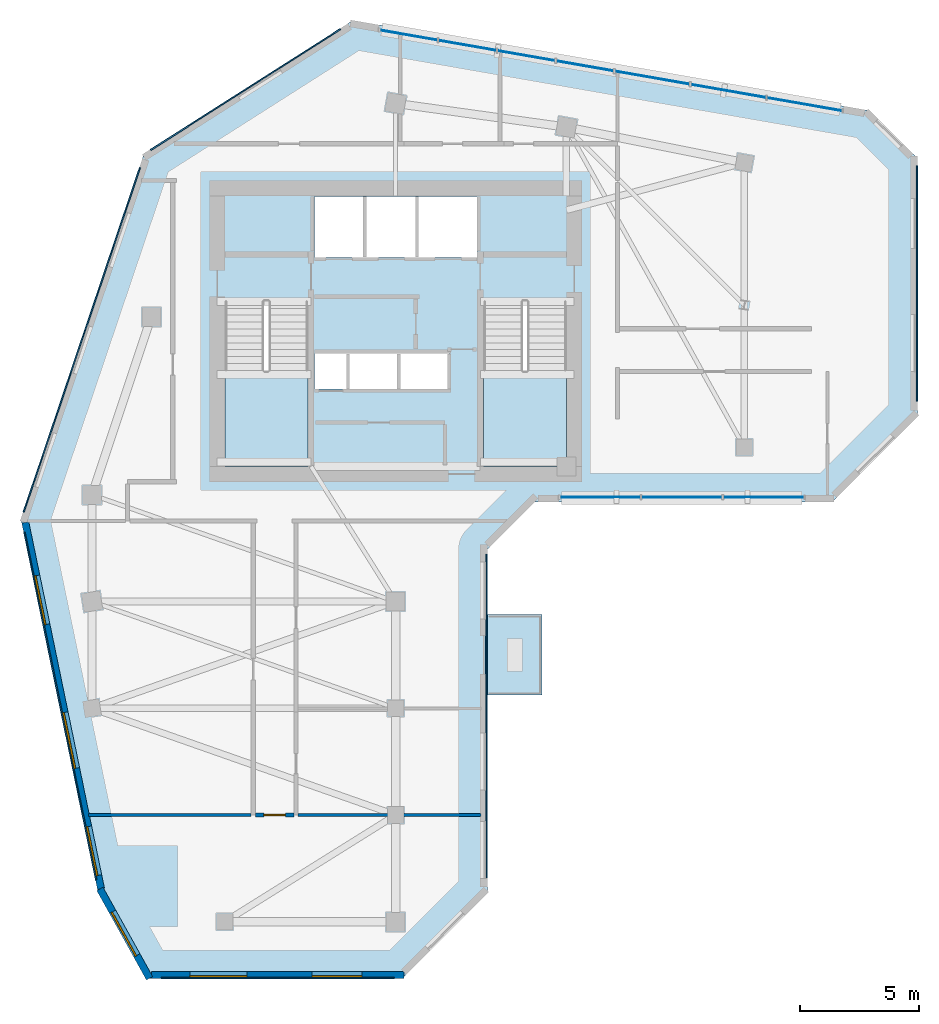
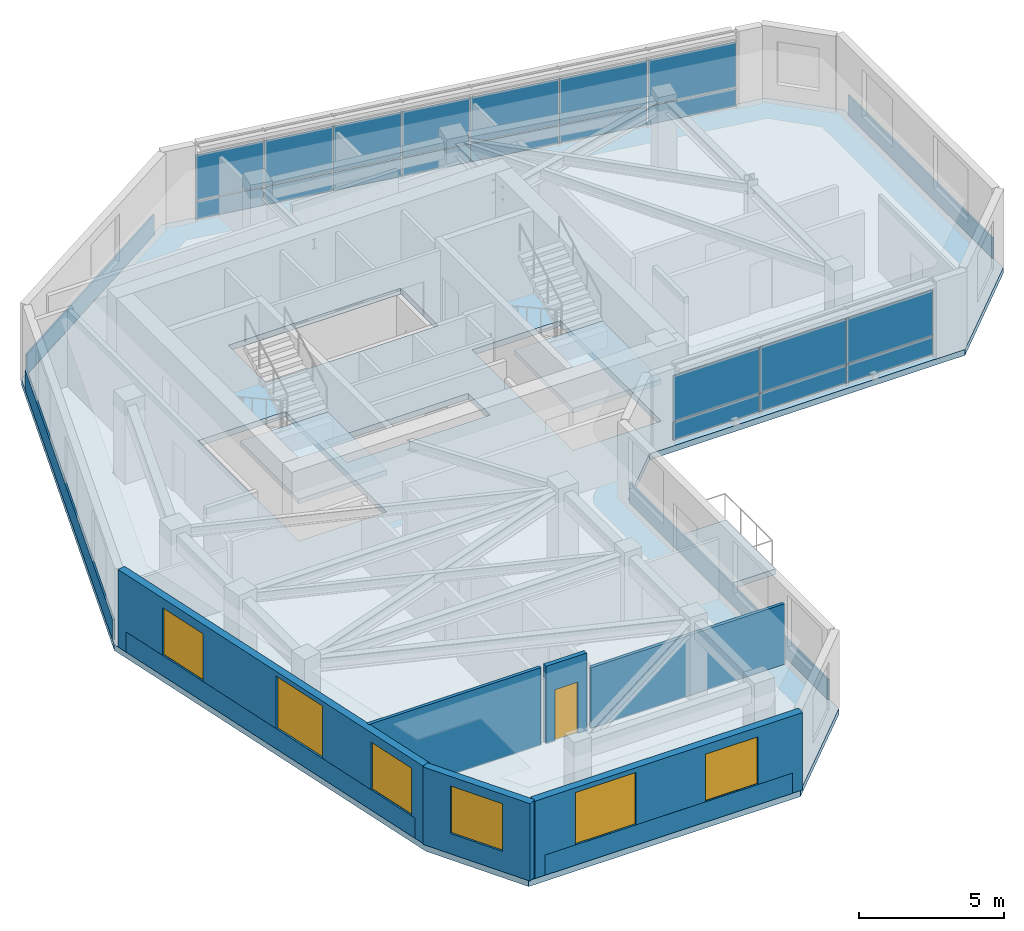
# One storey, part 3 of 9: 26 plates, 6 walls, 6 windows, 4 slabs, 1 door, 7 openings, 4 elements without a shape of their own.
"""IFC4 building model written with IfcOpenShell, lengths in metres."""

from ifc_helpers import new_model, si_unit, direction, frame, frame_2d, origin, place, context, subcontext, project, spatial, polyline, rectangle, outline, extrude, source, transform, mapped, material, layer, layer_set, type_object, element, fill, aggregate, save


model = new_model("IFC4")

# Units and contexts
model_context = context("Model", 3, precision=1e-05, world=origin(), true_north=direction((0.0, 1.0)))
body_context = subcontext(model_context, "Body", "Model", "MODEL_VIEW")
ifc_project = project(units=[si_unit("LENGTHUNIT", "METRE"), si_unit("AREAUNIT", "SQUARE_METRE"), si_unit("VOLUMEUNIT", "CUBIC_METRE"), si_unit("PLANEANGLEUNIT", "RADIAN"), si_unit("MASSUNIT", "GRAM", prefix="KILO")], contexts=[model_context])

# Site, building, storey
site_placement = place(None, origin())
site = spatial("IfcSite", under=ifc_project, at=site_placement, CompositionType="ELEMENT")
building_placement = place(site_placement, origin())
building = spatial("IfcBuilding", under=site, at=building_placement, Name="Calvemar Wedge Station Tower", CompositionType="ELEMENT")
storey_placement = place(building_placement, frame((0.0, 0.0, 235.89990234375)))
storey = spatial("IfcBuildingStorey", under=building, at=storey_placement, Name="L60", CompositionType="ELEMENT", Elevation=235.89990234375)

# Curtain wall, plates
ifc_material_1 = material(Name="Anodised aluminium 6063-T6", Category="aluminium")
curtain_wall_type = type_object("IfcCurtainWallType", Name="CW3", PredefinedType="NOTDEFINED", material=ifc_material_1)
curtain_wall_1_placement = place(storey_placement, origin())
curtain_wall_1 = element("IfcCurtainWall", 1, at=curtain_wall_1_placement, inside=storey, type_object=curtain_wall_type, Name="Storey L60 CW3 Recessed Unitised Curtain Wall 6", PredefinedType="NOTDEFINED")
ifc_material_2 = material(Name="Low-E laminated insulated glass", Category="glass")
ifc_layer_1 = layer(ifc_material_2, 0.028076171875)
ifc_layer_set_1 = layer_set([ifc_layer_1], Name="Low-E laminated insulated glass")
plate_type_1 = type_object("IfcPlateType", Name="CW3-GLZ", PredefinedType="CURTAIN_PANEL", material=ifc_layer_set_1)
plate_1_placement = place(storey_placement, frame((30.719970703125, 32.902099609375, 0.8701171875), z_axis=(0.0, 0.0, 1.0), x_axis=(1.0, 0.0, 0.0)))
plate_1 = element("IfcPlate", 2, at=plate_1_placement, type_object=plate_type_1, Name="CW3 vision glass panel 1", PredefinedType="CURTAIN_PANEL", context=body_context, shape_type="SweptSolid", body=[
    extrude(rectangle(XDim=3.4091796875, YDim=0.028076171875, at=frame_2d((1.70458984375, 0.0))), origin(), (0.0, 0.0, 1.0), 1.909912109375),
])
plate_2_placement = place(storey_placement, frame((34.165283203125, 32.902099609375, 0.8701171875), z_axis=(0.0, 0.0, 1.0), x_axis=(1.0, 0.0, 0.0)))
plate_2 = element("IfcPlate", 3, at=plate_2_placement, type_object=plate_type_1, Name="CW3 vision glass panel 2", PredefinedType="CURTAIN_PANEL", context=body_context, shape_type="SweptSolid", body=[
    extrude(rectangle(XDim=3.409423828125, YDim=0.028076171875, at=frame_2d((1.70458984375, 0.0))), origin(), (0.0, 0.0, 1.0), 1.909912109375),
])
plate_3_placement = place(storey_placement, frame((37.610595703125, 32.902099609375, 0.8701171875), z_axis=(0.0, 0.0, 1.0), x_axis=(1.0, 0.0, 0.0)))
plate_3 = element("IfcPlate", 4, at=plate_3_placement, type_object=plate_type_1, Name="CW3 vision glass panel 3", PredefinedType="CURTAIN_PANEL", context=body_context, shape_type="SweptSolid", body=[
    extrude(rectangle(XDim=3.409423828125, YDim=0.028076171875, at=frame_2d((1.70458984375, 0.0))), origin(), (0.0, 0.0, 1.0), 1.909912109375),
])

curtain_wall_2_placement = place(storey_placement, origin())
curtain_wall_2 = element("IfcCurtainWall", 5, at=curtain_wall_2_placement, inside=storey, type_object=curtain_wall_type, Name="Storey L60 CW3 Recessed Unitised Curtain Wall 10", PredefinedType="NOTDEFINED")
plate_4_placement = place(storey_placement, frame((42.615966796875, 49.185791015625, 0.8701171875), z_axis=(0.0, 0.0, 1.0), x_axis=(-0.985086154315, 0.172061816152, 0.0)))
plate_4 = element("IfcPlate", 6, at=plate_4_placement, type_object=plate_type_1, Name="CW3 vision glass panel 1", PredefinedType="CURTAIN_PANEL", context=body_context, shape_type="SweptSolid", body=[
    extrude(rectangle(XDim=3.216552734375, YDim=0.028076171875, at=frame_2d((1.6083984375, 0.0))), origin(), (0.0, 0.0, 1.0), 1.909912109375),
])
plate_5_placement = place(storey_placement, frame((39.411865234375, 49.745361328125, 0.8701171875), z_axis=(0.0, 0.0, 1.0), x_axis=(-0.985083907068, 0.172074681563, 0.0)))
plate_5 = element("IfcPlate", 7, at=plate_5_placement, type_object=plate_type_1, Name="CW3 vision glass panel 2", PredefinedType="CURTAIN_PANEL", context=body_context, shape_type="SweptSolid", body=[
    extrude(rectangle(XDim=3.216552734375, YDim=0.028076171875, at=frame_2d((1.6083984375, 0.0))), origin(), (0.0, 0.0, 1.0), 1.909912109375),
])
plate_6_placement = place(storey_placement, frame((36.207763671875, 50.304931640625, 0.8701171875), z_axis=(0.0, 0.0, 1.0), x_axis=(-0.985083907068, 0.172074681563, 0.0)))
plate_6 = element("IfcPlate", 8, at=plate_6_placement, type_object=plate_type_1, Name="CW3 vision glass panel 3", PredefinedType="CURTAIN_PANEL", context=body_context, shape_type="SweptSolid", body=[
    extrude(rectangle(XDim=3.216552734375, YDim=0.028076171875, at=frame_2d((1.6083984375, 0.0))), origin(), (0.0, 0.0, 1.0), 1.909912109375),
])
plate_7_placement = place(storey_placement, frame((33.00390625, 50.86474609375, 0.8701171875), z_axis=(0.0, 0.0, 1.0), x_axis=(-0.98509358917, 0.172019244782, 0.0)))
plate_7 = element("IfcPlate", 9, at=plate_7_placement, type_object=plate_type_1, Name="CW3 vision glass panel 4", PredefinedType="CURTAIN_PANEL", context=body_context, shape_type="SweptSolid", body=[
    extrude(rectangle(XDim=2.4765625, YDim=0.028076171875, at=frame_2d((1.23828125, 0.0))), origin(), (0.0, 0.0, 1.0), 1.909912109375),
])
plate_8_placement = place(storey_placement, frame((30.52880859375, 51.297119140625, 0.8701171875), z_axis=(0.0, 0.0, 1.0), x_axis=(-0.985090671751, 0.172035950981, 0.0)))
plate_8 = element("IfcPlate", 10, at=plate_8_placement, type_object=plate_type_1, Name="CW3 vision glass panel 5", PredefinedType="CURTAIN_PANEL", context=body_context, shape_type="SweptSolid", body=[
    extrude(rectangle(XDim=2.476318359375, YDim=0.028076171875, at=frame_2d((1.23828125, 0.0))), origin(), (0.0, 0.0, 1.0), 1.909912109375),
])
plate_9_placement = place(storey_placement, frame((28.053955078125, 51.729248046875, 0.8701171875), z_axis=(0.0, 0.0, 1.0), x_axis=(-0.985075890094, 0.172120570404, 0.0)))
plate_9 = element("IfcPlate", 11, at=plate_9_placement, type_object=plate_type_1, Name="CW3 vision glass panel 6", PredefinedType="CURTAIN_PANEL", context=body_context, shape_type="SweptSolid", body=[
    extrude(rectangle(XDim=2.485107421875, YDim=0.028076171875, at=frame_2d((1.24267578125, 0.0))), origin(), (0.0, 0.0, 1.0), 1.909912109375),
])
plate_10_placement = place(storey_placement, frame((25.570556640625, 52.1630859375, 0.8701171875), z_axis=(0.0, 0.0, 1.0), x_axis=(-0.985078800149, 0.172103914825, 0.0)))
plate_10 = element("IfcPlate", 12, at=plate_10_placement, type_object=plate_type_1, Name="CW3 vision glass panel 7", PredefinedType="CURTAIN_PANEL", context=body_context, shape_type="SweptSolid", body=[
    extrude(rectangle(XDim=2.4853515625, YDim=0.028076171875, at=frame_2d((1.24267578125, 0.0))), origin(), (0.0, 0.0, 1.0), 1.909912109375),
])

# Plate
ifc_material_3 = material(Name="Oxidized bronze aluminium spandrel panel 5005-H24", Category="aluminium")
ifc_layer_2 = layer(ifc_material_3, 0.0400390625)
ifc_layer_set_2 = layer_set([ifc_layer_2], Name="Oxidized bronze aluminium spandrel panel 5005-H24")
plate_type_2 = type_object("IfcPlateType", Name="CW3-SPD", PredefinedType="SHEET", material=ifc_layer_set_2)
plate_11_placement = place(storey_placement, frame((30.719970703125, 32.902099609375, 0.080078125), z_axis=(0.0, 0.0, 1.0), x_axis=(1.0, 0.0, 0.0)))
plate_11 = element("IfcPlate", 13, at=plate_11_placement, type_object=plate_type_2, Name="CW3 bronze spandrel panel 1", PredefinedType="SHEET", context=body_context, shape_type="SweptSolid", body=[
    extrude(rectangle(XDim=3.4091796875, YDim=0.0400390625, at=frame_2d((1.70458984375, 0.0))), origin(), (0.0, 0.0, 1.0), 0.75),
])

plate_12_placement = place(storey_placement, frame((34.165283203125, 32.902099609375, 0.080078125), z_axis=(0.0, 0.0, 1.0), x_axis=(1.0, 0.0, 0.0)))
plate_12 = element("IfcPlate", 14, at=plate_12_placement, type_object=plate_type_2, Name="CW3 bronze spandrel panel 2", PredefinedType="SHEET", context=body_context, shape_type="SweptSolid", body=[
    extrude(rectangle(XDim=3.409423828125, YDim=0.0400390625, at=frame_2d((1.70458984375, 0.0))), origin(), (0.0, 0.0, 1.0), 0.75),
])

plate_13_placement = place(storey_placement, frame((37.610595703125, 32.902099609375, 0.080078125), z_axis=(0.0, 0.0, 1.0), x_axis=(1.0, 0.0, 0.0)))
plate_13 = element("IfcPlate", 15, at=plate_13_placement, type_object=plate_type_2, Name="CW3 bronze spandrel panel 3", PredefinedType="SHEET", context=body_context, shape_type="SweptSolid", body=[
    extrude(rectangle(XDim=3.409423828125, YDim=0.0400390625, at=frame_2d((1.70458984375, 0.0))), origin(), (0.0, 0.0, 1.0), 0.75),
])

aggregate(curtain_wall_1, [plate_11, plate_1, plate_12, plate_2, plate_13, plate_3])

plate_14_placement = place(storey_placement, frame((42.615966796875, 49.185791015625, 0.080078125), z_axis=(0.0, 0.0, 1.0), x_axis=(-0.985086154315, 0.172061816152, 0.0)))
plate_14 = element("IfcPlate", 16, at=plate_14_placement, type_object=plate_type_2, Name="CW3 bronze spandrel panel 1", PredefinedType="SHEET", context=body_context, shape_type="SweptSolid", body=[
    extrude(rectangle(XDim=3.216552734375, YDim=0.0400390625, at=frame_2d((1.6083984375, 0.0))), origin(), (0.0, 0.0, 1.0), 0.75),
])

plate_15_placement = place(storey_placement, frame((39.411865234375, 49.745361328125, 0.080078125), z_axis=(0.0, 0.0, 1.0), x_axis=(-0.985083907068, 0.172074681563, 0.0)))
plate_15 = element("IfcPlate", 17, at=plate_15_placement, type_object=plate_type_2, Name="CW3 bronze spandrel panel 2", PredefinedType="SHEET", context=body_context, shape_type="SweptSolid", body=[
    extrude(rectangle(XDim=3.216552734375, YDim=0.0400390625, at=frame_2d((1.6083984375, 0.0))), origin(), (0.0, 0.0, 1.0), 0.75),
])

plate_16_placement = place(storey_placement, frame((36.207763671875, 50.304931640625, 0.080078125), z_axis=(0.0, 0.0, 1.0), x_axis=(-0.985083907068, 0.172074681563, 0.0)))
plate_16 = element("IfcPlate", 18, at=plate_16_placement, type_object=plate_type_2, Name="CW3 bronze spandrel panel 3", PredefinedType="SHEET", context=body_context, shape_type="SweptSolid", body=[
    extrude(rectangle(XDim=3.216552734375, YDim=0.0400390625, at=frame_2d((1.6083984375, 0.0))), origin(), (0.0, 0.0, 1.0), 0.75),
])

plate_17_placement = place(storey_placement, frame((33.00390625, 50.86474609375, 0.080078125), z_axis=(0.0, 0.0, 1.0), x_axis=(-0.98509358917, 0.172019244782, 0.0)))
plate_17 = element("IfcPlate", 19, at=plate_17_placement, type_object=plate_type_2, Name="CW3 bronze spandrel panel 4", PredefinedType="SHEET", context=body_context, shape_type="SweptSolid", body=[
    extrude(rectangle(XDim=2.4765625, YDim=0.0400390625, at=frame_2d((1.23828125, 0.0))), origin(), (0.0, 0.0, 1.0), 0.75),
])

plate_18_placement = place(storey_placement, frame((30.52880859375, 51.297119140625, 0.080078125), z_axis=(0.0, 0.0, 1.0), x_axis=(-0.985090671751, 0.172035950981, 0.0)))
plate_18 = element("IfcPlate", 20, at=plate_18_placement, type_object=plate_type_2, Name="CW3 bronze spandrel panel 5", PredefinedType="SHEET", context=body_context, shape_type="SweptSolid", body=[
    extrude(rectangle(XDim=2.476318359375, YDim=0.0400390625, at=frame_2d((1.23828125, 0.0))), origin(), (0.0, 0.0, 1.0), 0.75),
])

plate_19_placement = place(storey_placement, frame((28.053955078125, 51.729248046875, 0.080078125), z_axis=(0.0, 0.0, 1.0), x_axis=(-0.985075890094, 0.172120570404, 0.0)))
plate_19 = element("IfcPlate", 21, at=plate_19_placement, type_object=plate_type_2, Name="CW3 bronze spandrel panel 6", PredefinedType="SHEET", context=body_context, shape_type="SweptSolid", body=[
    extrude(rectangle(XDim=2.485107421875, YDim=0.0400390625, at=frame_2d((1.24267578125, 0.0))), origin(), (0.0, 0.0, 1.0), 0.75),
])

plate_20_placement = place(storey_placement, frame((25.570556640625, 52.1630859375, 0.080078125), z_axis=(0.0, 0.0, 1.0), x_axis=(-0.985078800149, 0.172103914825, 0.0)))
plate_20 = element("IfcPlate", 22, at=plate_20_placement, type_object=plate_type_2, Name="CW3 bronze spandrel panel 7", PredefinedType="SHEET", context=body_context, shape_type="SweptSolid", body=[
    extrude(rectangle(XDim=2.4853515625, YDim=0.0400390625, at=frame_2d((1.24267578125, 0.0))), origin(), (0.0, 0.0, 1.0), 0.75),
])

aggregate(curtain_wall_2, [plate_14, plate_4, plate_15, plate_5, plate_16, plate_6, plate_17, plate_7, plate_18, plate_8, plate_19, plate_9, plate_20, plate_10])

# Plates
ifc_material_4 = material(Name="Precast concrete C45", Category="concrete")
ifc_layer_3 = layer(ifc_material_4, 0.06494140625)
ifc_layer_set_3 = layer_set([ifc_layer_3], Name="Precast concrete C45")
plate_type_3 = type_object("IfcPlateType", Name="PL-GFRC-FIN", PredefinedType="USERDEFINED", material=ifc_layer_set_3)
plate_21_placement = place(storey_placement, frame((13.91015625, 12.6298828125, 0.0), z_axis=(0.0, 0.0, 1.0), x_axis=(1.0, 0.0, 0.0)))
element("IfcPlate", 23, at=plate_21_placement, inside=storey, type_object=plate_type_3, Name="Storey L60 Oxidized-Bronze GFRC Spandrel Cladding 2", ObjectType="CLADDING PANEL", PredefinedType="USERDEFINED", context=body_context, shape_type="SweptSolid", body=[
    extrude(rectangle(XDim=9.841796875, YDim=0.06494140625, at=frame_2d((4.9208984375, 0.0))), origin(), (0.0, 0.0, 1.0), 0.85009765625),
])
plate_22_placement = place(storey_placement, frame((27.634033203125, 16.857421875, 0.0), z_axis=(0.0, 0.0, 1.0), x_axis=(0.0, 1.0, 0.0)))
element("IfcPlate", 24, at=plate_22_placement, inside=storey, type_object=plate_type_3, Name="Storey L60 Oxidized-Bronze GFRC Spandrel Cladding 4", ObjectType="CLADDING PANEL", PredefinedType="USERDEFINED", context=body_context, shape_type="SweptSolid", body=[
    extrude(rectangle(XDim=13.646728515625, YDim=0.06494140625, at=frame_2d((6.8232421875, 0.0))), origin(), (0.0, 0.0, 1.0), 0.85009765625),
])
plate_23_placement = place(storey_placement, frame((45.77001953125, 36.94921875, 0.0), z_axis=(0.0, 0.0, 1.0), x_axis=(0.0, 1.0, 0.0)))
element("IfcPlate", 25, at=plate_23_placement, inside=storey, type_object=plate_type_3, Name="Storey L60 Oxidized-Bronze GFRC Spandrel Cladding 8", ObjectType="CLADDING PANEL", PredefinedType="USERDEFINED", context=body_context, shape_type="SweptSolid", body=[
    extrude(rectangle(XDim=9.9306640625, YDim=0.06494140625, at=frame_2d((4.96533203125, 0.0))), origin(), (0.0, 0.0, 1.0), 0.85009765625),
])
plate_24_placement = place(storey_placement, frame((21.471923828125, 52.62841796875, 0.0), z_axis=(0.0, 0.0, 1.0), x_axis=(-0.843661487732, -0.536875492193, 0.0)))
element("IfcPlate", 26, at=plate_24_placement, inside=storey, type_object=plate_type_3, Name="Storey L60 Oxidized-Bronze GFRC Spandrel Cladding 11", ObjectType="CLADDING PANEL", PredefinedType="USERDEFINED", context=body_context, shape_type="SweptSolid", body=[
    extrude(rectangle(XDim=9.482666015625, YDim=0.06494140625, at=frame_2d((4.7412109375, 0.0))), origin(), (0.0, 0.0, 1.0), 0.85009765625),
])
plate_25_placement = place(storey_placement, frame((13.02685546875, 46.793212890625, 0.0), z_axis=(0.0, 0.0, 1.0), x_axis=(-0.319927299225, -0.947442094912, 0.0)))
element("IfcPlate", 27, at=plate_25_placement, inside=storey, type_object=plate_type_3, Name="Storey L60 Oxidized-Bronze GFRC Spandrel Cladding 12", ObjectType="CLADDING PANEL", PredefinedType="USERDEFINED", context=body_context, shape_type="SweptSolid", body=[
    extrude(rectangle(XDim=15.333251953125, YDim=0.06494140625, at=frame_2d((7.66650390625, 0.0))), origin(), (0.0, 0.0, 1.0), 0.85009765625),
])
plate_26_placement = place(storey_placement, frame((8.15087890625, 31.41796875, 0.0), z_axis=(0.0, 0.0, 1.0), x_axis=(0.202320768525, -0.979319307797, 0.0)))
element("IfcPlate", 28, at=plate_26_placement, inside=storey, type_object=plate_type_3, Name="Storey L60 Oxidized-Bronze GFRC Spandrel Cladding 13", ObjectType="CLADDING PANEL", PredefinedType="USERDEFINED", context=body_context, shape_type="SweptSolid", body=[
    extrude(rectangle(XDim=14.965576171875, YDim=0.06494140625, at=frame_2d((7.48291015625, 0.0))), origin(), (0.0, 0.0, 1.0), 0.85009765625),
])

# Stair, slab
ifc_material_5 = material(Name="Concrete C45", Category="concrete")
stair_type = type_object("IfcStairType", Name="ST-TYPE-3500", PredefinedType="HALF_TURN_STAIR", material=ifc_material_5)
stair_1_placement = place(storey_placement, origin())
stair_1 = element("IfcStair", 29, at=stair_1_placement, inside=storey, type_object=stair_type, Name="L60 Pressurized Core Exit Stair ST-C1", PredefinedType="HALF_TURN_STAIR")
ifc_layer_4 = layer(ifc_material_5, 0.199951171875)
ifc_layer_set_4 = layer_set([ifc_layer_4], Name="Concrete C45")
slab_type_1 = type_object("IfcSlabType", Name="SL-STAIR-LND-200", PredefinedType="LANDING", material=ifc_layer_set_4)
slab_1_placement = place(storey_placement, frame((0.0, 0.0, 1.550048828125)))
slab_1 = element("IfcSlab", 30, at=slab_1_placement, type_object=slab_type_1, Name="ST-C1 landing 1", PredefinedType="LANDING", context=body_context, shape_type="SweptSolid", body=[
    extrude(outline(polyline([(16.60009765625, 38.25), (16.60009765625, 34.199951171875), (20.10009765625, 34.199951171875), (20.10009765625, 38.25), (16.60009765625, 38.25)])), origin(), (0.0, 0.0, 1.0), 0.199951171875),
])
aggregate(stair_1, [slab_1])

stair_2_placement = place(storey_placement, origin())
stair_2 = element("IfcStair", 31, at=stair_2_placement, inside=storey, type_object=stair_type, Name="L60 Pressurized Core Exit Stair ST-C2", PredefinedType="HALF_TURN_STAIR")
slab_2_placement = place(storey_placement, frame((0.0, 0.0, 1.550048828125)))
slab_2 = element("IfcSlab", 32, at=slab_2_placement, type_object=slab_type_1, Name="ST-C2 landing 1", PredefinedType="LANDING", context=body_context, shape_type="SweptSolid", body=[
    extrude(outline(polyline([(27.5, 38.25), (27.5, 34.199951171875), (31.0, 34.199951171875), (31.0, 38.25), (27.5, 38.25)])), origin(), (0.0, 0.0, 1.0), 0.199951171875),
])
aggregate(stair_2, [slab_2])

# Slabs
ifc_layer_5 = layer(ifc_material_5, 0.239990234375)
ifc_layer_set_5 = layer_set([ifc_layer_5], Name="Concrete C45")
slab_type_2 = type_object("IfcSlabType", Name="SL-TERR-240", PredefinedType="FLOOR", material=ifc_layer_set_5)
slab_3_placement = place(storey_placement, frame((0.0, 0.0, -0.239990234375)))
element("IfcSlab", 33, at=slab_3_placement, inside=storey, type_object=slab_type_2, Name="Storey L60 Planted Spiral Terrace Slab", PredefinedType="FLOOR", context=body_context, shape_type="SweptSolid", body=[
    extrude(outline(polyline([(27.6640625, 24.550048828125), (29.964111328125, 24.550048828125), (29.964111328125, 27.949951171875), (27.6640625, 27.949951171875), (27.6640625, 24.550048828125)])), origin(), (0.0, 0.0, 1.0), 0.239990234375),
])
ifc_material_6 = material(Name="Concrete C50", Category="concrete")
ifc_layer_6 = layer(ifc_material_6, 0.25)
ifc_layer_set_6 = layer_set([ifc_layer_6], Name="Concrete C50")
slab_type_3 = type_object("IfcSlabType", Name="SL-TYP-250", PredefinedType="FLOOR", material=ifc_layer_set_6)
slab_4_placement = place(storey_placement, frame((0.0, 0.0, -0.25)))
element("IfcSlab", 34, at=slab_4_placement, inside=storey, type_object=slab_type_3, Name="Storey L60 Structural Floor Slab", PredefinedType="FLOOR", context=body_context, shape_type="SweptSolid", body=[
    extrude(outline(polyline([(8.0, 32.0), (11.263916015625, 16.199951171875), (13.263916015625, 12.60009765625), (24.06396484375, 12.60009765625), (27.6640625, 16.199951171875), (27.6640625, 30.69189453125), (29.6640625, 32.69189453125), (42.199951171875, 32.69189453125), (45.800048828125, 36.2919921875), (45.800048828125, 47.19189453125), (43.800048828125, 49.19189453125), (22.0, 53.0), (13.199951171875, 47.39990234375), (8.0, 32.0)]), holes=[polyline([(20.10009765625, 34.199951171875), (20.10009765625, 41.14990234375), (16.60009765625, 41.14990234375), (16.60009765625, 34.199951171875), (20.10009765625, 34.199951171875)]), polyline([(27.5, 34.199951171875), (31.0, 34.199951171875), (31.0, 41.14990234375), (27.5, 41.14990234375), (27.5, 34.199951171875)]), polyline([(21.800048828125, 37.449951171875), (23.929931640625, 37.449951171875), (23.93994140625, 37.449951171875), (26.080078125, 37.449951171875), (26.080078125, 38.949951171875), (23.93994140625, 38.949951171875), (23.929931640625, 38.949951171875), (21.800048828125, 38.949951171875), (21.7900390625, 38.949951171875), (20.3798828125, 38.949951171875), (20.3798828125, 37.449951171875), (21.7900390625, 37.449951171875), (21.800048828125, 37.449951171875)]), polyline([(27.219970703125, 43.0), (27.219970703125, 45.580078125), (20.3798828125, 45.580078125), (20.3798828125, 43.0), (27.219970703125, 43.0)])]), origin(), (0.0, 0.0, 1.0), 0.25),
])

# Wall, opening, door
ifc_material_7 = material(Name="Double-stud fire-rated corridor partition")
ifc_layer_7 = layer(ifc_material_7, 0.179931640625)
ifc_layer_set_7 = layer_set([ifc_layer_7], Name="Double-stud fire-rated corridor partition")
wall_type_1 = type_object("IfcWallType", Name="W-CORR-180", PredefinedType="PARTITIONING", material=ifc_layer_set_7)
wall_1_placement = place(storey_placement, frame((19.506103515625, 19.5, 0.0), z_axis=(0.0, 0.0, 1.0), x_axis=(-1.0, 0.0, 0.0)))
wall_1 = element("IfcWall", 35, at=wall_1_placement, inside=storey, type_object=wall_type_1, Name="Storey L60 Interior Partition WL-L60-028", PredefinedType="PARTITIONING", context=body_context, shape_type="SweptSolid", body=[
    extrude(rectangle(XDim=1.612060546875, YDim=0.179931640625, at=frame_2d((0.80615234375, 0.0))), origin(), (0.0, 0.0, 1.0), 3.25),
])
shared_shape_1 = source(origin(), body_context, "Body", "SweptSolid", [
    extrude(rectangle(XDim=0.89990234375, YDim=2.14990234375, at=frame_2d((0.449951171875, 1.074951171875))), frame((0.0, 0.10009765625, 0.0), z_axis=(0.0, -1.0, 0.0), x_axis=(1.0, 0.0, 0.0)), (0.0, 0.0, 1.0), 0.199951171875),
])
opening_1_placement = place(wall_1_placement, frame((0.35595703125, 0.0, 0.0)))
opening_1 = element("IfcOpeningElement", 36, at=opening_1_placement, cuts=wall_1, Name="Opening D-01", PredefinedType="OPENING", context=body_context, shape_type="MappedRepresentation", body=[
    mapped(shared_shape_1, transform((0.0, 0.0, 0.0), scale=1.0)),
])
ifc_material_8 = material(Name="Architectural hardwood acoustic swing door", Category="wood")
door_type = type_object("IfcDoorType", Name="DR-INT-900", OperationType="NOTDEFINED", PredefinedType="DOOR", material=ifc_material_8)
shared_shape_2 = source(origin(), body_context, "Body", "SweptSolid", [
    extrude(rectangle(XDim=0.89990234375, YDim=2.14990234375, at=frame_2d((0.449951171875, 1.074951171875))), frame((0.0, 0.02490234375, 0.0), z_axis=(0.0, -1.0, 0.0), x_axis=(1.0, 0.0, 0.0)), (0.0, 0.0, 1.0), 0.050048828125),
])
door_placement = place(opening_1_placement, origin())
door = element("IfcDoor", 37, at=door_placement, inside=storey, type_object=door_type, Name="L60 Sky Conference Hall Door", OperationType="SINGLE_SWING_LEFT", OverallHeight=2.14990234375, OverallWidth=0.89990234375, PredefinedType="DOOR", context=body_context, shape_type="MappedRepresentation", body=[
    mapped(shared_shape_2, transform((0.0, 0.0, 0.0), scale=1.0)),
])
fill(opening_1, door)

# Wall, opening, window
ifc_layer_8 = layer(ifc_material_4, 0.300048828125)
ifc_layer_set_8 = layer_set([ifc_layer_8], Name="Precast concrete C45")
wall_type_2 = type_object("IfcWallType", Name="W-EXT-GFRC-300", PredefinedType="SOLIDWALL", material=ifc_layer_set_8)
wall_2_placement = place(storey_placement, frame((11.33349609375, 16.3837890625, 0.0), z_axis=(0.0, 0.0, 1.0), x_axis=(0.485633305139, -0.874162623852, 0.0)))
wall_2 = element("IfcWall", 38, at=wall_2_placement, inside=storey, type_object=wall_type_2, Name="Storey L60 Bronze GFRC Exterior Wall 1", PredefinedType="SOLIDWALL", context=body_context, shape_type="SweptSolid", body=[
    extrude(rectangle(XDim=4.306884765625, YDim=0.300048828125, at=frame_2d((2.1533203125, 0.0))), origin(), (0.0, 0.0, 1.0), 3.25),
])
shared_shape_3 = source(origin(), body_context, "Body", "SweptSolid", [
    extrude(rectangle(XDim=2.10009765625, YDim=2.0, at=frame_2d((1.050048828125, 1.0))), frame((0.0, 0.16015625, 0.0), z_axis=(0.0, -1.0, 0.0), x_axis=(1.0, 0.0, 0.0)), (0.0, 0.0, 1.0), 0.320068359375),
])
opening_2_placement = place(wall_2_placement, frame((1.10400390625, 0.0, 0.85009765625)))
opening_2 = element("IfcOpeningElement", 39, at=opening_2_placement, cuts=wall_2, Name="Opening W4", PredefinedType="OPENING", context=body_context, shape_type="MappedRepresentation", body=[
    mapped(shared_shape_3, transform((0.0, 0.0, 0.0), scale=1.0)),
])
window_type_1 = type_object("IfcWindowType", Name="WIN-EXT-4", PartitioningType="SINGLE_PANEL", PredefinedType="WINDOW", material=ifc_material_2)
shared_shape_4 = source(origin(), body_context, "Body", "SweptSolid", [
    extrude(rectangle(XDim=2.10009765625, YDim=2.0, at=frame_2d((1.050048828125, 1.0))), frame((0.0, -0.014892578125, 0.0), z_axis=(0.0, -1.0, 0.0), x_axis=(1.0, 0.0, 0.0)), (0.0, 0.0, 1.0), 0.06005859375),
])
window_1_placement = place(opening_2_placement, origin())
window_1 = element("IfcWindow", 40, at=window_1_placement, inside=storey, type_object=window_type_1, Name="Storey L60 Recessed Window 1.1", OverallHeight=2.0, OverallWidth=2.10009765625, PartitioningType="SINGLE_PANEL", PredefinedType="WINDOW", context=body_context, shape_type="MappedRepresentation", body=[
    mapped(shared_shape_4, transform((0.0, 0.0, 0.0), scale=1.0)),
])
fill(opening_2, window_1)

# Wall, openings, windows
wall_3_placement = place(storey_placement, frame((13.510009765625, 12.75, 0.0), z_axis=(0.0, 0.0, 1.0), x_axis=(1.0, 0.0, 0.0)))
wall_3 = element("IfcWall", 41, at=wall_3_placement, inside=storey, type_object=wall_type_2, Name="Storey L60 Bronze GFRC Exterior Wall 2", PredefinedType="SOLIDWALL", context=body_context, shape_type="SweptSolid", body=[
    extrude(rectangle(XDim=10.641845703125, YDim=0.300048828125, at=frame_2d((5.32080078125, 0.0))), origin(), (0.0, 0.0, 1.0), 3.25),
])
shared_shape_5 = source(origin(), body_context, "Body", "SweptSolid", [
    extrude(rectangle(XDim=2.39990234375, YDim=2.199951171875, at=frame_2d((1.199951171875, 1.10009765625))), frame((0.0, 0.16015625, 0.0), z_axis=(0.0, -1.0, 0.0), x_axis=(1.0, 0.0, 0.0)), (0.0, 0.0, 1.0), 0.320068359375),
])
opening_3_placement = place(wall_3_placement, frame((1.6201171875, 0.0, 0.85009765625)))
opening_3 = element("IfcOpeningElement", 42, at=opening_3_placement, cuts=wall_3, Name="Opening W1", PredefinedType="OPENING", context=body_context, shape_type="MappedRepresentation", body=[
    mapped(shared_shape_5, transform((0.0, 0.0, 0.0), scale=1.0)),
])
opening_4_placement = place(wall_3_placement, frame((6.77099609375, 0.0, 0.85009765625)))
opening_4 = element("IfcOpeningElement", 43, at=opening_4_placement, cuts=wall_3, Name="Opening W4", PredefinedType="OPENING", context=body_context, shape_type="MappedRepresentation", body=[
    mapped(shared_shape_3, transform((0.0, 0.0, 0.0), scale=1.0)),
])
window_2_placement = place(opening_4_placement, origin())
window_2 = element("IfcWindow", 44, at=window_2_placement, inside=storey, type_object=window_type_1, Name="Storey L60 Recessed Window 2.2", OverallHeight=2.0, OverallWidth=2.10009765625, PartitioningType="SINGLE_PANEL", PredefinedType="WINDOW", context=body_context, shape_type="MappedRepresentation", body=[
    mapped(shared_shape_4, transform((0.0, 0.0, 0.0), scale=1.0)),
])
fill(opening_4, window_2)
window_type_2 = type_object("IfcWindowType", Name="WIN-EXT-1", PartitioningType="SINGLE_PANEL", PredefinedType="WINDOW", material=ifc_material_2)
shared_shape_6 = source(origin(), body_context, "Body", "SweptSolid", [
    extrude(rectangle(XDim=2.39990234375, YDim=2.199951171875, at=frame_2d((1.199951171875, 1.10009765625))), frame((0.0, -0.014892578125, 0.0), z_axis=(0.0, -1.0, 0.0), x_axis=(1.0, 0.0, 0.0)), (0.0, 0.0, 1.0), 0.06005859375),
])
window_3_placement = place(opening_3_placement, origin())
window_3 = element("IfcWindow", 45, at=window_3_placement, inside=storey, type_object=window_type_2, Name="Storey L60 Recessed Window 2.1", OverallHeight=2.199951171875, OverallWidth=2.39990234375, PartitioningType="SINGLE_PANEL", PredefinedType="WINDOW", context=body_context, shape_type="MappedRepresentation", body=[
    mapped(shared_shape_6, transform((0.0, 0.0, 0.0), scale=1.0)),
])
fill(opening_3, window_3)

wall_4_placement = place(storey_placement, frame((8.1875, 31.833984375, 0.0), z_axis=(0.0, 0.0, 1.0), x_axis=(0.202303475707, -0.979322880217, 0.0)))
wall_4 = element("IfcWall", 46, at=wall_4_placement, inside=storey, type_object=wall_type_2, Name="Storey L60 Bronze GFRC Exterior Wall 13", PredefinedType="SOLIDWALL", context=body_context, shape_type="SweptSolid", body=[
    extrude(rectangle(XDim=15.765625, YDim=0.300048828125, at=frame_2d((7.8828125, 0.0))), origin(), (0.0, 0.0, 1.0), 3.25),
])
opening_5_placement = place(wall_4_placement, frame((2.2900390625, 0.0, 0.85009765625)))
opening_5 = element("IfcOpeningElement", 47, at=opening_5_placement, cuts=wall_4, Name="Opening W4", PredefinedType="OPENING", context=body_context, shape_type="MappedRepresentation", body=[
    mapped(shared_shape_3, transform((0.0, 0.0, 0.0), scale=1.0)),
])
opening_6_placement = place(wall_4_placement, frame((8.178955078125, 0.0, 0.85009765625)))
opening_6 = element("IfcOpeningElement", 48, at=opening_6_placement, cuts=wall_4, Name="Opening W1", PredefinedType="OPENING", context=body_context, shape_type="MappedRepresentation", body=[
    mapped(shared_shape_5, transform((0.0, 0.0, 0.0), scale=1.0)),
])
opening_7_placement = place(wall_4_placement, frame((13.092041015625, 0.0, 0.85009765625)))
opening_7 = element("IfcOpeningElement", 49, at=opening_7_placement, cuts=wall_4, Name="Opening W4", PredefinedType="OPENING", context=body_context, shape_type="MappedRepresentation", body=[
    mapped(shared_shape_3, transform((0.0, 0.0, 0.0), scale=1.0)),
])
window_4_placement = place(opening_5_placement, origin())
window_4 = element("IfcWindow", 50, at=window_4_placement, inside=storey, type_object=window_type_1, Name="Storey L60 Recessed Window 13.1", OverallHeight=2.0, OverallWidth=2.10009765625, PartitioningType="SINGLE_PANEL", PredefinedType="WINDOW", context=body_context, shape_type="MappedRepresentation", body=[
    mapped(shared_shape_4, transform((0.0, 0.0, 0.0), scale=1.0)),
])
fill(opening_5, window_4)
window_5_placement = place(opening_7_placement, origin())
window_5 = element("IfcWindow", 51, at=window_5_placement, inside=storey, type_object=window_type_1, Name="Storey L60 Recessed Window 13.3", OverallHeight=2.0, OverallWidth=2.10009765625, PartitioningType="SINGLE_PANEL", PredefinedType="WINDOW", context=body_context, shape_type="MappedRepresentation", body=[
    mapped(shared_shape_4, transform((0.0, 0.0, 0.0), scale=1.0)),
])
fill(opening_7, window_5)
window_6_placement = place(opening_6_placement, origin())
window_6 = element("IfcWindow", 52, at=window_6_placement, inside=storey, type_object=window_type_2, Name="Storey L60 Recessed Window 13.2", OverallHeight=2.199951171875, OverallWidth=2.39990234375, PartitioningType="SINGLE_PANEL", PredefinedType="WINDOW", context=body_context, shape_type="MappedRepresentation", body=[
    mapped(shared_shape_6, transform((0.0, 0.0, 0.0), scale=1.0)),
])
fill(opening_6, window_6)

# Walls
ifc_material_9 = material(Name="Insulated acoustic gypsum stud partition")
ifc_layer_9 = layer(ifc_material_9, 0.125)
ifc_layer_set_9 = layer_set([ifc_layer_9], Name="Insulated acoustic gypsum stud partition")
wall_type_3 = type_object("IfcWallType", Name="W-PART-125", PredefinedType="PARTITIONING", material=ifc_layer_set_9)
wall_5_placement = place(storey_placement, frame((17.7060546875, 19.5, 0.0), z_axis=(0.0, 0.0, 1.0), x_axis=(-1.0, 0.0, 0.0)))
element("IfcWall", 53, at=wall_5_placement, inside=storey, type_object=wall_type_3, Name="Storey L60 Interior Partition WL-L60-029", PredefinedType="PARTITIONING", context=body_context, shape_type="SweptSolid", body=[
    extrude(rectangle(XDim=6.853271484375, YDim=0.125, at=frame_2d((3.4267578125, 0.0))), origin(), (0.0, 0.0, 1.0), 3.25),
])
wall_6_placement = place(storey_placement, frame((27.39892578125, 19.5, 0.0), z_axis=(0.0, 0.0, 1.0), x_axis=(-1.0, 0.0, 0.0)))
element("IfcWall", 54, at=wall_6_placement, inside=storey, type_object=wall_type_3, Name="Storey L60 Interior Partition WL-L60-031", PredefinedType="PARTITIONING", context=body_context, shape_type="SweptSolid", body=[
    extrude(rectangle(XDim=7.704833984375, YDim=0.125, at=frame_2d((3.8525390625, 0.0))), origin(), (0.0, 0.0, 1.0), 2.5419921875),
])

save(model, "model.ifc")
